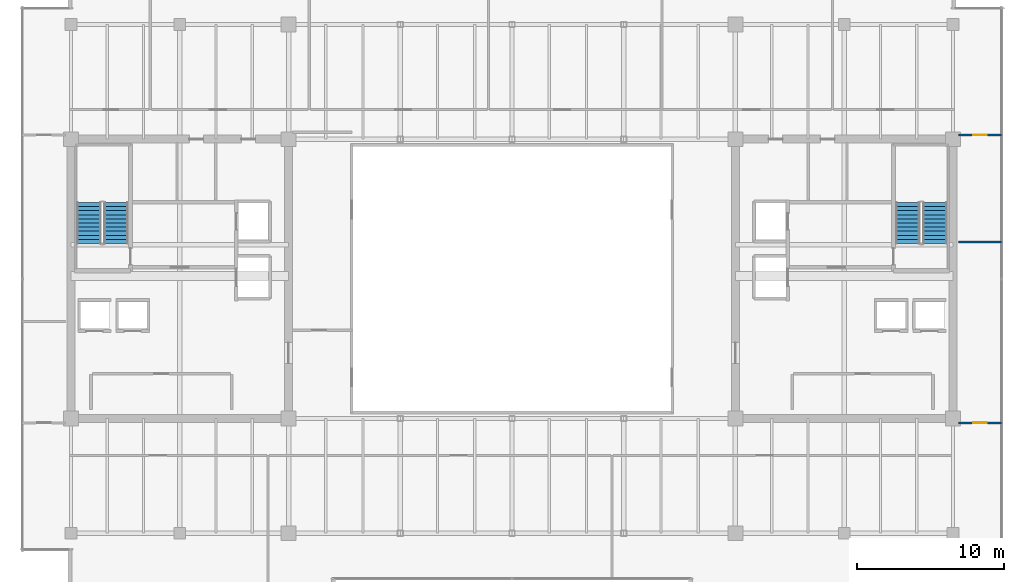
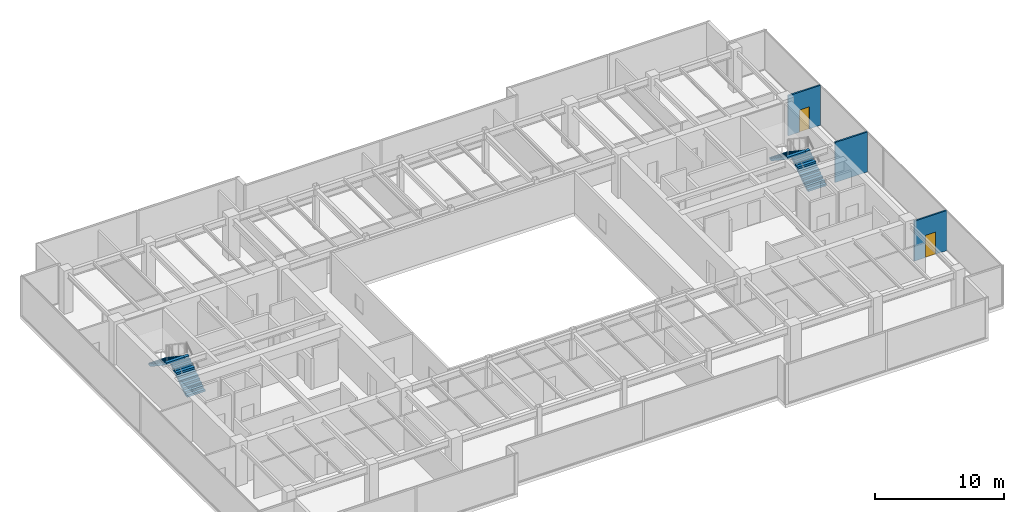
# One storey, part 31 of 33: 4 stair flights, 3 walls, 2 doors, 2 openings, 2 elements without a shape of their own.
"""IFC4 building model written with IfcOpenShell, lengths in metres."""

from ifc_helpers import new_model, si_unit, direction, frame, frame_2d, origin, place, context, subcontext, project, spatial, polyline, rectangle, outline, extrude, source, transform, mapped, material, layer, layer_set, type_object, type_shapes, element, fill, aggregate, save


model = new_model("IFC4")

# Units and contexts
model_context = context("Model", 3, precision=1e-05, world=origin(), true_north=direction((0.0, 1.0)))
body_context = subcontext(model_context, "Body", "Model", "MODEL_VIEW")
ifc_project = project(units=[si_unit("LENGTHUNIT", "METRE"), si_unit("AREAUNIT", "SQUARE_METRE"), si_unit("VOLUMEUNIT", "CUBIC_METRE"), si_unit("PLANEANGLEUNIT", "RADIAN"), si_unit("MASSUNIT", "GRAM", prefix="KILO")], contexts=[model_context])

# Site, building, storey
site_placement = place(None, origin())
site = spatial("IfcSite", under=ifc_project, at=site_placement, CompositionType="ELEMENT")
building_placement = place(site_placement, origin())
building = spatial("IfcBuilding", under=site, at=building_placement, Name="Haelvirn Gate Laboratories", CompositionType="ELEMENT")
storey_placement = place(building_placement, frame((0.0, 0.0, 230.10009765625)))
storey = spatial("IfcBuildingStorey", under=building, at=storey_placement, Name="L55", CompositionType="ELEMENT", Elevation=230.10009765625)

# Wall
ifc_material_1 = material(Name="Acoustic mineral-wool gypsum board partition", Category="gypsum")
ifc_layer = layer(ifc_material_1, 0.139892578125, Name="IW-PART-140")
ifc_layer_set = layer_set([ifc_layer], Name="Acoustic mineral-wool gypsum board partition")
wall_type = type_object("IfcWallType", Name="IW-PART-140", PredefinedType="PARTITIONING", material=ifc_layer_set)
wall_1_placement = place(storey_placement, frame((67.780029296875, 26.800048828125, 0.0), z_axis=(0.0, 0.0, 1.0), x_axis=(1.0, 0.0, 0.0)))
element("IfcWall", 1, at=wall_1_placement, inside=storey, type_object=wall_type, Name="L55 Interior Wall IW-L55-EZ3-MID", PredefinedType="PARTITIONING", context=body_context, shape_type="SweptSolid", body=[
    extrude(rectangle(XDim=2.909912109375, YDim=0.139892578125, at=frame_2d((1.455078125, 0.0))), origin(), (0.0, 0.0, 1.0), 3.7998046875),
])

# Wall, opening, door
wall_2_placement = place(storey_placement, frame((67.780029296875, 14.5048828125, 0.0), z_axis=(0.0, 0.0, 1.0), x_axis=(1.0, 0.0, 0.0)))
wall_2 = element("IfcWall", 2, at=wall_2_placement, inside=storey, type_object=wall_type, Name="L55 Interior Wall IW-L55-EZ3-ENT-S", PredefinedType="PARTITIONING", context=body_context, shape_type="SweptSolid", body=[
    extrude(rectangle(XDim=2.909912109375, YDim=0.139892578125, at=frame_2d((1.455078125, 0.0))), origin(), (0.0, 0.0, 1.0), 3.7998046875),
])
opening_1_placement = place(wall_2_placement, frame((1.0048828125, 0.0, 0.0)))
opening_1 = element("IfcOpeningElement", 3, at=opening_1_placement, cuts=wall_2, Name="Opening D4", PredefinedType="OPENING", context=body_context, shape_type="SweptSolid", body=[
    extrude(rectangle(XDim=0.89990234375, YDim=2.10009765625, at=frame_2d((0.449951171875, 1.050048828125))), frame((0.0, 0.080078125, 0.0), z_axis=(0.0, -1.0, 0.0), x_axis=(1.0, 0.0, 0.0)), (0.0, 0.0, 1.0), 0.159912109375),
])
ifc_material_2 = material(Name="Glazed aluminium-framed write-up door", Category="aluminium")
door_type = type_object("IfcDoorType", Name="DR-OFF-900", OperationType="NOTDEFINED", PredefinedType="DOOR", material=ifc_material_2)
shared_shape_1 = source(origin(), body_context, "Body", "SweptSolid", [
    extrude(rectangle(XDim=0.89990234375, YDim=2.10009765625, at=frame_2d((0.449951171875, 1.050048828125))), frame((0.0, 0.02490234375, 0.0), z_axis=(0.0, -1.0, 0.0), x_axis=(1.0, 0.0, 0.0)), (0.0, 0.0, 1.0), 0.050048828125),
])
type_shapes(door_type, [shared_shape_1])
door_1_placement = place(opening_1_placement, origin())
door_1 = element("IfcDoor", 4, at=door_1_placement, inside=storey, type_object=door_type, Name="L55 Researcher Break Pantry Door E-S", OperationType="SINGLE_SWING_LEFT", OverallHeight=2.10009765625, OverallWidth=0.89990234375, PredefinedType="DOOR", context=body_context, shape_type="MappedRepresentation", body=[
    mapped(shared_shape_1, transform((0.0, 0.0, 0.0), scale=1.0)),
])
fill(opening_1, door_1)

wall_3_placement = place(storey_placement, frame((67.780029296875, 34.094970703125, 0.0), z_axis=(0.0, 0.0, 1.0), x_axis=(1.0, 0.0, 0.0)))
wall_3 = element("IfcWall", 5, at=wall_3_placement, inside=storey, type_object=wall_type, Name="L55 Interior Wall IW-L55-EZ3-ENT-N", PredefinedType="PARTITIONING", context=body_context, shape_type="SweptSolid", body=[
    extrude(rectangle(XDim=2.909912109375, YDim=0.139892578125, at=frame_2d((1.455078125, 0.0))), origin(), (0.0, 0.0, 1.0), 3.7998046875),
])
opening_2_placement = place(wall_3_placement, frame((1.0048828125, 0.0, 0.0)))
opening_2 = element("IfcOpeningElement", 6, at=opening_2_placement, cuts=wall_3, Name="Opening D4", PredefinedType="OPENING", context=body_context, shape_type="SweptSolid", body=[
    extrude(rectangle(XDim=0.89990234375, YDim=2.10009765625, at=frame_2d((0.449951171875, 1.050048828125))), frame((0.0, 0.080078125, 0.0), z_axis=(0.0, -1.0, 0.0), x_axis=(1.0, 0.0, 0.0)), (0.0, 0.0, 1.0), 0.159912109375),
])
door_2_placement = place(opening_2_placement, origin())
door_2 = element("IfcDoor", 7, at=door_2_placement, inside=storey, type_object=door_type, Name="L55 Genomics Assay Laboratory Door E-N", OperationType="SINGLE_SWING_RIGHT", OverallHeight=2.10009765625, OverallWidth=0.89990234375, PredefinedType="DOOR", context=body_context, shape_type="MappedRepresentation", body=[
    mapped(shared_shape_1, transform((0.0, 0.0, 0.0), scale=1.0)),
])
fill(opening_2, door_2)

# Stair, stair flights
ifc_material_3 = material(Name="Concrete C40/50", Category="concrete")
stair_type = type_object("IfcStairType", Name="ST-DOG-1650-R22", PredefinedType="HALF_TURN_STAIR", material=ifc_material_3)
stair_1_placement = place(storey_placement, origin())
stair_1 = element("IfcStair", 8, at=stair_1_placement, inside=storey, type_object=stair_type, Name="L55 Escape Stair ST1", PredefinedType="HALF_TURN_STAIR")
stair_flight_type = type_object("IfcStairFlightType", Name="STF-1650-R11", PredefinedType="STRAIGHT", material=ifc_material_3)
shared_shape_2 = source(origin(), body_context, "Body", "SweptSolid", [
    extrude(outline(polyline([(0.0, 0.0), (0.0, 0.186279296875), (0.280029296875, 0.186279296875), (0.280029296875, 0.372802734375), (0.56005859375, 0.372802734375), (0.56005859375, 0.55908203125), (0.840087890625, 0.55908203125), (0.840087890625, 0.745361328125), (1.1201171875, 0.745361328125), (1.1201171875, 0.931884765625), (1.39990234375, 0.931884765625), (1.39990234375, 1.1181640625), (1.679931640625, 1.1181640625), (1.679931640625, 1.304443359375), (1.9599609375, 1.304443359375), (1.9599609375, 1.490966796875), (2.239990234375, 1.490966796875), (2.239990234375, 1.67724609375), (2.52001953125, 1.67724609375), (2.52001953125, 1.863525390625), (2.800048828125, 1.863525390625), (2.800048828125, 2.050048828125), (2.800048828125, 1.671630859375), (0.28857421875, 0.0), (0.0, 0.0)])), frame((0.0, 0.824951171875, 0.0), z_axis=(0.0, -1.0, 0.0), x_axis=(1.0, 0.0, 0.0)), (0.0, 0.0, 1.0), 1.64990234375),
])
type_shapes(stair_flight_type, [shared_shape_2])
stair_flight_1_placement = place(storey_placement, frame((10.47509765625, 26.699951171875, 0.0), z_axis=(0.0, 0.0, 1.0), x_axis=(0.0, 1.0, 0.0)))
stair_flight_1 = element("IfcStairFlight", 9, at=stair_flight_1_placement, type_object=stair_flight_type, Name="ST1 flight 1", NumberOfRisers=11, NumberOfTreads=10, PredefinedType="STRAIGHT", RiserHeight=0.186363636, TreadLength=0.28, context=body_context, shape_type="MappedRepresentation", body=[
    mapped(shared_shape_2, transform((0.0, 0.0, 0.0), scale=1.0)),
])
stair_flight_2_placement = place(storey_placement, frame((8.625, 29.5, 2.0498046875), z_axis=(0.0, 0.0, 1.0), x_axis=(0.0, -1.0, 0.0)))
stair_flight_2 = element("IfcStairFlight", 10, at=stair_flight_2_placement, type_object=stair_flight_type, Name="ST1 flight 2", NumberOfRisers=11, NumberOfTreads=10, PredefinedType="STRAIGHT", RiserHeight=0.186363636, TreadLength=0.28, context=body_context, shape_type="MappedRepresentation", body=[
    mapped(shared_shape_2, transform((0.0, 0.0, 0.0), scale=1.0)),
])
aggregate(stair_1, [stair_flight_1, stair_flight_2])

stair_2_placement = place(storey_placement, origin())
stair_2 = element("IfcStair", 11, at=stair_2_placement, inside=storey, type_object=stair_type, Name="L55 Escape Stair ST2", PredefinedType="HALF_TURN_STAIR")
stair_flight_3_placement = place(storey_placement, frame((66.175048828125, 26.699951171875, 0.0), z_axis=(0.0, 0.0, 1.0), x_axis=(0.0, 1.0, 0.0)))
stair_flight_3 = element("IfcStairFlight", 12, at=stair_flight_3_placement, type_object=stair_flight_type, Name="ST2 flight 1", NumberOfRisers=11, NumberOfTreads=10, PredefinedType="STRAIGHT", RiserHeight=0.186363636, TreadLength=0.28, context=body_context, shape_type="MappedRepresentation", body=[
    mapped(shared_shape_2, transform((0.0, 0.0, 0.0), scale=1.0)),
])
stair_flight_4_placement = place(storey_placement, frame((64.324951171875, 29.5, 2.0498046875), z_axis=(0.0, 0.0, 1.0), x_axis=(0.0, -1.0, 0.0)))
stair_flight_4 = element("IfcStairFlight", 13, at=stair_flight_4_placement, type_object=stair_flight_type, Name="ST2 flight 2", NumberOfRisers=11, NumberOfTreads=10, PredefinedType="STRAIGHT", RiserHeight=0.186363636, TreadLength=0.28, context=body_context, shape_type="MappedRepresentation", body=[
    mapped(shared_shape_2, transform((0.0, 0.0, 0.0), scale=1.0)),
])
aggregate(stair_2, [stair_flight_3, stair_flight_4])

save(model, "model.ifc")
